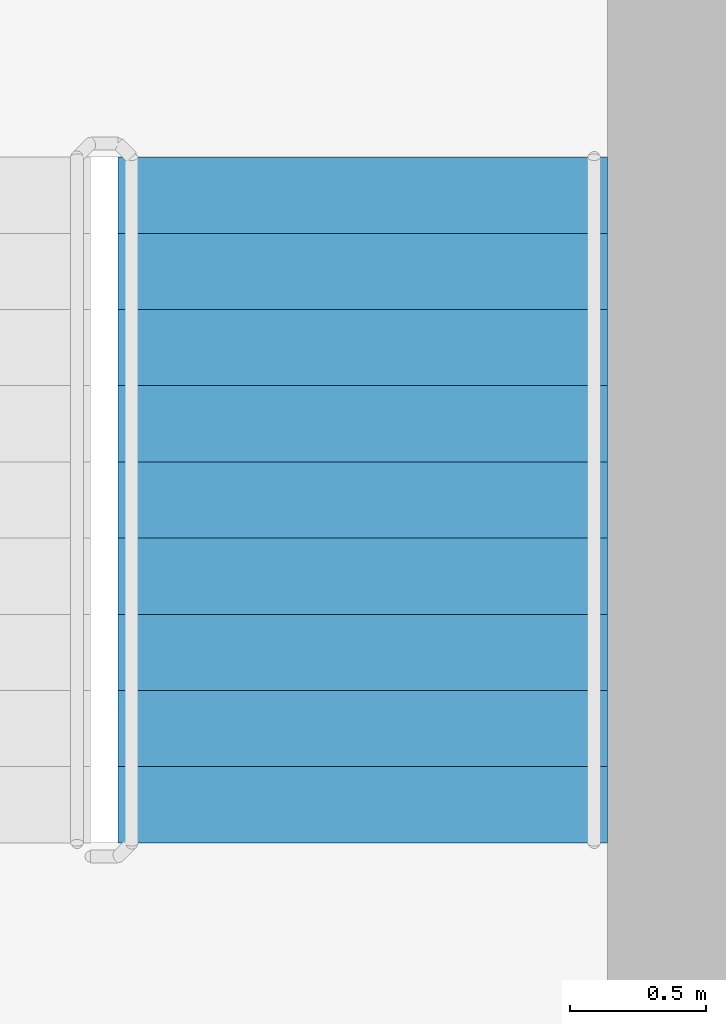
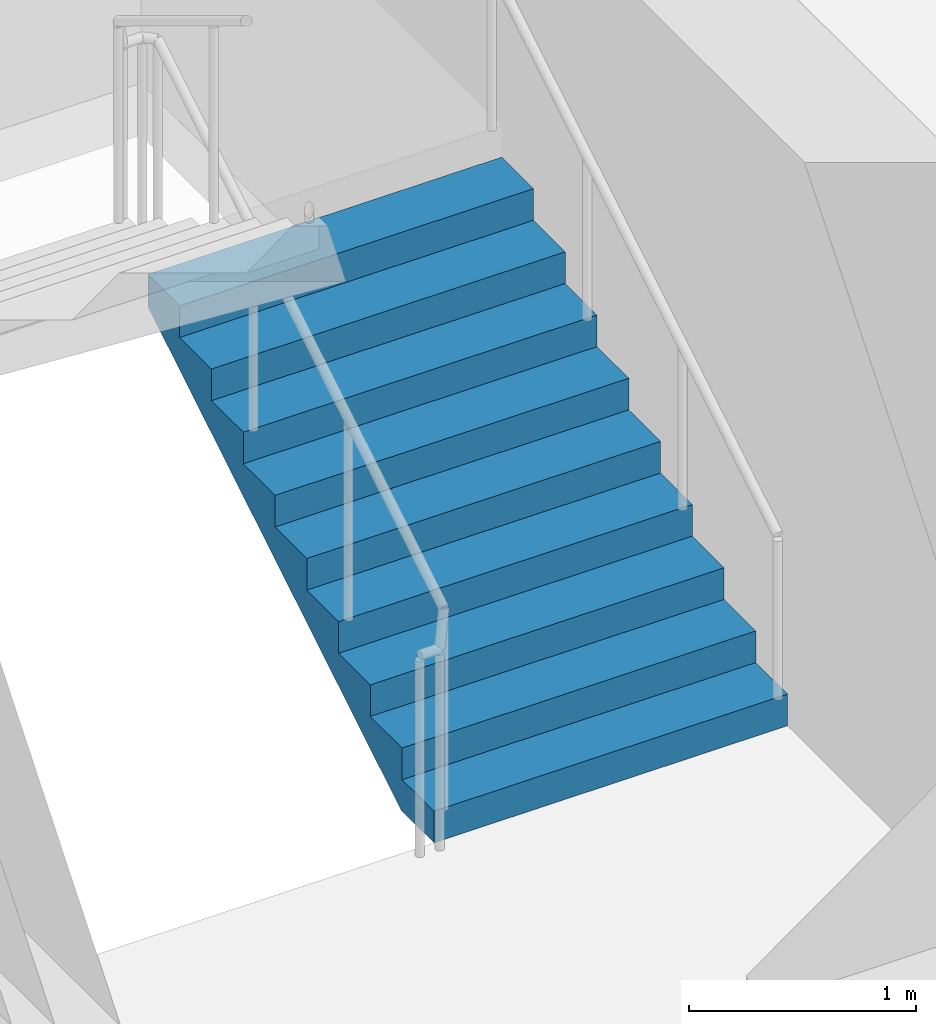
# One storey, part 10 of 17: 1 stair flight, 1 element without a shape of its own.
"""IFC4 building model written with IfcOpenShell, lengths in metres."""

from ifc_helpers import new_model, si_unit, direction, frame, origin, place, context, subcontext, project, spatial, triangles, source, transform, mapped, material, type_object, element, aggregate, save


model = new_model("IFC4")

# Units and contexts
model_context = context("Model", 3, precision=1e-05, world=origin(), true_north=direction((0.0, 1.0)))
body_context = subcontext(model_context, "Body", "Model", "MODEL_VIEW")
ifc_project = project(units=[si_unit("LENGTHUNIT", "METRE"), si_unit("AREAUNIT", "SQUARE_METRE"), si_unit("VOLUMEUNIT", "CUBIC_METRE"), si_unit("PLANEANGLEUNIT", "RADIAN"), si_unit("MASSUNIT", "GRAM", prefix="KILO")], contexts=[model_context])

# Site, building, storey
site_placement = place(None, origin())
site = spatial("IfcSite", under=ifc_project, at=site_placement, CompositionType="ELEMENT")
building_placement = place(site_placement, origin())
building = spatial("IfcBuilding", under=site, at=building_placement, Name="Kilnfold Tower and Market Hall", CompositionType="ELEMENT")
storey_placement = place(building_placement, frame((0.0, 0.0, 308.60009765625)))
storey = spatial("IfcBuildingStorey", under=building, at=storey_placement, Name="L77", CompositionType="ELEMENT", Elevation=308.60009765625)

# Stair, stair flight
ifc_material_1 = material(Name="Concrete C40/50", Category="concrete")
stair_type = type_object("IfcStairType", Name="CORE STAIR 1800", PredefinedType="HALF_TURN_STAIR", material=ifc_material_1)
stair_placement = place(storey_placement, origin())
stair = element("IfcStair", 1, at=stair_placement, inside=storey, type_object=stair_type, Name="L77 ST2", PredefinedType="HALF_TURN_STAIR")
ifc_material_2 = material(Name="Concrete C40/50", Category="concrete")
stair_flight_type = type_object("IfcStairFlightType", Name="CORE STAIR FLIGHT 1800", PredefinedType="STRAIGHT", material=ifc_material_2)
shared_shape = source(origin(), body_context, "Body", "Tessellation", [
    triangles([(0.0, 0.89990234375, 0.0), (0.0, 0.78759765625, 0.0), (0.0, 0.675048828125, 0.0), (0.0, 0.5625, 0.0), (0.0, 0.449951171875, 0.0), (0.0, 0.33740234375, 0.0), (0.0, 0.22509765625, 0.0), (0.0, 0.112548828125, 0.0), (0.0, 0.0, 0.0), (0.0, -0.112548828125, 0.0), (0.0, -0.22509765625, 0.0), (0.0, -0.33740234375, 0.0), (0.0, -0.449951171875, 0.0), (0.0, -0.5625, 0.0), (0.0, -0.675048828125, 0.0), (0.0, -0.78759765625, 0.0), (0.0, -0.89990234375, 0.0), (0.0, 0.89990234375, 0.169921875), (0.0, 0.78759765625, 0.169921875), (0.0, 0.675048828125, 0.169921875), (0.0, 0.5625, 0.169921875), (0.0, 0.449951171875, 0.169921875), (0.0, 0.33740234375, 0.169921875), (0.0, 0.22509765625, 0.169921875), (0.0, 0.112548828125, 0.169921875), (0.0, 0.0, 0.169921875), (0.0, -0.112548828125, 0.169921875), (0.0, -0.22509765625, 0.169921875), (0.0, -0.33740234375, 0.169921875), (0.0, -0.449951171875, 0.169921875), (0.0, -0.5625, 0.169921875), (0.0, -0.675048828125, 0.169921875), (0.0, -0.78759765625, 0.169921875), (0.0, -0.89990234375, 0.169921875), (0.280029296875, 0.89990234375, 0.169921875), (0.280029296875, 0.78759765625, 0.169921875), (0.280029296875, 0.675048828125, 0.169921875), (0.280029296875, 0.5625, 0.169921875), (0.280029296875, 0.449951171875, 0.169921875), (0.280029296875, 0.33740234375, 0.169921875), (0.280029296875, 0.22509765625, 0.169921875), (0.280029296875, 0.112548828125, 0.169921875), (0.280029296875, 0.0, 0.169921875), (0.280029296875, -0.112548828125, 0.169921875), (0.280029296875, -0.22509765625, 0.169921875), (0.280029296875, -0.33740234375, 0.169921875), (0.280029296875, -0.449951171875, 0.169921875), (0.280029296875, -0.5625, 0.169921875), (0.280029296875, -0.675048828125, 0.169921875), (0.280029296875, -0.78759765625, 0.169921875), (0.280029296875, -0.89990234375, 0.169921875), (0.280029296875, 0.89990234375, 0.340087890625), (0.280029296875, 0.78759765625, 0.340087890625), (0.280029296875, 0.675048828125, 0.340087890625), (0.280029296875, 0.5625, 0.340087890625), (0.280029296875, 0.449951171875, 0.340087890625), (0.280029296875, 0.33740234375, 0.340087890625), (0.280029296875, 0.22509765625, 0.340087890625), (0.280029296875, 0.112548828125, 0.340087890625), (0.280029296875, 0.0, 0.340087890625), (0.280029296875, -0.112548828125, 0.340087890625), (0.280029296875, -0.22509765625, 0.340087890625), (0.280029296875, -0.33740234375, 0.340087890625), (0.280029296875, -0.449951171875, 0.340087890625), (0.280029296875, -0.5625, 0.340087890625), (0.280029296875, -0.675048828125, 0.340087890625), (0.280029296875, -0.78759765625, 0.340087890625), (0.280029296875, -0.89990234375, 0.340087890625), (0.56005859375, 0.89990234375, 0.340087890625), (0.56005859375, 0.78759765625, 0.340087890625), (0.56005859375, 0.675048828125, 0.340087890625), (0.56005859375, 0.5625, 0.340087890625), (0.56005859375, 0.449951171875, 0.340087890625), (0.56005859375, 0.33740234375, 0.340087890625), (0.56005859375, 0.22509765625, 0.340087890625), (0.56005859375, 0.112548828125, 0.340087890625), (0.56005859375, 0.0, 0.340087890625), (0.56005859375, -0.112548828125, 0.340087890625), (0.56005859375, -0.22509765625, 0.340087890625), (0.56005859375, -0.33740234375, 0.340087890625), (0.56005859375, -0.449951171875, 0.340087890625), (0.56005859375, -0.5625, 0.340087890625), (0.56005859375, -0.675048828125, 0.340087890625), (0.56005859375, -0.78759765625, 0.340087890625), (0.56005859375, -0.89990234375, 0.340087890625), (0.56005859375, 0.89990234375, 0.510009765625), (0.56005859375, 0.78759765625, 0.510009765625), (0.56005859375, 0.675048828125, 0.510009765625), (0.56005859375, 0.5625, 0.510009765625), (0.56005859375, 0.449951171875, 0.510009765625), (0.56005859375, 0.33740234375, 0.510009765625), (0.56005859375, 0.22509765625, 0.510009765625), (0.56005859375, 0.112548828125, 0.510009765625), (0.56005859375, 0.0, 0.510009765625), (0.56005859375, -0.112548828125, 0.510009765625), (0.56005859375, -0.22509765625, 0.510009765625), (0.56005859375, -0.33740234375, 0.510009765625), (0.56005859375, -0.449951171875, 0.510009765625), (0.56005859375, -0.5625, 0.510009765625), (0.56005859375, -0.675048828125, 0.510009765625), (0.56005859375, -0.78759765625, 0.510009765625), (0.56005859375, -0.89990234375, 0.510009765625), (0.840087890625, 0.89990234375, 0.510009765625), (0.840087890625, 0.78759765625, 0.510009765625), (0.840087890625, 0.675048828125, 0.510009765625), (0.840087890625, 0.5625, 0.510009765625), (0.840087890625, 0.449951171875, 0.510009765625), (0.840087890625, 0.33740234375, 0.510009765625), (0.840087890625, 0.22509765625, 0.510009765625), (0.840087890625, 0.112548828125, 0.510009765625), (0.840087890625, 0.0, 0.510009765625), (0.840087890625, -0.112548828125, 0.510009765625), (0.840087890625, -0.22509765625, 0.510009765625), (0.840087890625, -0.33740234375, 0.510009765625), (0.840087890625, -0.449951171875, 0.510009765625), (0.840087890625, -0.5625, 0.510009765625), (0.840087890625, -0.675048828125, 0.510009765625), (0.840087890625, -0.78759765625, 0.510009765625), (0.840087890625, -0.89990234375, 0.510009765625), (0.840087890625, 0.89990234375, 0.679931640625), (0.840087890625, 0.78759765625, 0.679931640625), (0.840087890625, 0.675048828125, 0.679931640625), (0.840087890625, 0.5625, 0.679931640625), (0.840087890625, 0.449951171875, 0.679931640625), (0.840087890625, 0.33740234375, 0.679931640625), (0.840087890625, 0.22509765625, 0.679931640625), (0.840087890625, 0.112548828125, 0.679931640625), (0.840087890625, 0.0, 0.679931640625), (0.840087890625, -0.112548828125, 0.679931640625), (0.840087890625, -0.22509765625, 0.679931640625), (0.840087890625, -0.33740234375, 0.679931640625), (0.840087890625, -0.449951171875, 0.679931640625), (0.840087890625, -0.5625, 0.679931640625), (0.840087890625, -0.675048828125, 0.679931640625), (0.840087890625, -0.78759765625, 0.679931640625), (0.840087890625, -0.89990234375, 0.679931640625), (1.1201171875, 0.89990234375, 0.679931640625), (1.1201171875, 0.78759765625, 0.679931640625), (1.1201171875, 0.675048828125, 0.679931640625), (1.1201171875, 0.5625, 0.679931640625), (1.1201171875, 0.449951171875, 0.679931640625), (1.1201171875, 0.33740234375, 0.679931640625), (1.1201171875, 0.22509765625, 0.679931640625), (1.1201171875, 0.112548828125, 0.679931640625), (1.1201171875, 0.0, 0.679931640625), (1.1201171875, -0.112548828125, 0.679931640625), (1.1201171875, -0.22509765625, 0.679931640625), (1.1201171875, -0.33740234375, 0.679931640625), (1.1201171875, -0.449951171875, 0.679931640625), (1.1201171875, -0.5625, 0.679931640625), (1.1201171875, -0.675048828125, 0.679931640625), (1.1201171875, -0.78759765625, 0.679931640625), (1.1201171875, -0.89990234375, 0.679931640625), (1.1201171875, 0.89990234375, 0.85009765625), (1.1201171875, 0.78759765625, 0.85009765625), (1.1201171875, 0.675048828125, 0.85009765625), (1.1201171875, 0.5625, 0.85009765625), (1.1201171875, 0.449951171875, 0.85009765625), (1.1201171875, 0.33740234375, 0.85009765625), (1.1201171875, 0.22509765625, 0.85009765625), (1.1201171875, 0.112548828125, 0.85009765625), (1.1201171875, 0.0, 0.85009765625), (1.1201171875, -0.112548828125, 0.85009765625), (1.1201171875, -0.22509765625, 0.85009765625), (1.1201171875, -0.33740234375, 0.85009765625), (1.1201171875, -0.449951171875, 0.85009765625), (1.1201171875, -0.5625, 0.85009765625), (1.1201171875, -0.675048828125, 0.85009765625), (1.1201171875, -0.78759765625, 0.85009765625), (1.1201171875, -0.89990234375, 0.85009765625), (1.39990234375, 0.89990234375, 0.85009765625), (1.39990234375, 0.78759765625, 0.85009765625), (1.39990234375, 0.675048828125, 0.85009765625), (1.39990234375, 0.5625, 0.85009765625), (1.39990234375, 0.449951171875, 0.85009765625), (1.39990234375, 0.33740234375, 0.85009765625), (1.39990234375, 0.22509765625, 0.85009765625), (1.39990234375, 0.112548828125, 0.85009765625), (1.39990234375, 0.0, 0.85009765625), (1.39990234375, -0.112548828125, 0.85009765625), (1.39990234375, -0.22509765625, 0.85009765625), (1.39990234375, -0.33740234375, 0.85009765625), (1.39990234375, -0.449951171875, 0.85009765625), (1.39990234375, -0.5625, 0.85009765625), (1.39990234375, -0.675048828125, 0.85009765625), (1.39990234375, -0.78759765625, 0.85009765625), (1.39990234375, -0.89990234375, 0.85009765625), (1.39990234375, 0.89990234375, 1.02001953125), (1.39990234375, 0.78759765625, 1.02001953125), (1.39990234375, 0.675048828125, 1.02001953125), (1.39990234375, 0.5625, 1.02001953125), (1.39990234375, 0.449951171875, 1.02001953125), (1.39990234375, 0.33740234375, 1.02001953125), (1.39990234375, 0.22509765625, 1.02001953125), (1.39990234375, 0.112548828125, 1.02001953125), (1.39990234375, 0.0, 1.02001953125), (1.39990234375, -0.112548828125, 1.02001953125), (1.39990234375, -0.22509765625, 1.02001953125), (1.39990234375, -0.33740234375, 1.02001953125), (1.39990234375, -0.449951171875, 1.02001953125), (1.39990234375, -0.5625, 1.02001953125), (1.39990234375, -0.675048828125, 1.02001953125), (1.39990234375, -0.78759765625, 1.02001953125), (1.39990234375, -0.89990234375, 1.02001953125), (1.679931640625, 0.89990234375, 1.02001953125), (1.679931640625, 0.78759765625, 1.02001953125), (1.679931640625, 0.675048828125, 1.02001953125), (1.679931640625, 0.5625, 1.02001953125), (1.679931640625, 0.449951171875, 1.02001953125), (1.679931640625, 0.33740234375, 1.02001953125), (1.679931640625, 0.22509765625, 1.02001953125), (1.679931640625, 0.112548828125, 1.02001953125), (1.679931640625, 0.0, 1.02001953125), (1.679931640625, -0.112548828125, 1.02001953125), (1.679931640625, -0.22509765625, 1.02001953125), (1.679931640625, -0.33740234375, 1.02001953125), (1.679931640625, -0.449951171875, 1.02001953125), (1.679931640625, -0.5625, 1.02001953125), (1.679931640625, -0.675048828125, 1.02001953125), (1.679931640625, -0.78759765625, 1.02001953125), (1.679931640625, -0.89990234375, 1.02001953125), (1.679931640625, 0.89990234375, 1.18994140625), (1.679931640625, 0.78759765625, 1.18994140625), (1.679931640625, 0.675048828125, 1.18994140625), (1.679931640625, 0.5625, 1.18994140625), (1.679931640625, 0.449951171875, 1.18994140625), (1.679931640625, 0.33740234375, 1.18994140625), (1.679931640625, 0.22509765625, 1.18994140625), (1.679931640625, 0.112548828125, 1.18994140625), (1.679931640625, 0.0, 1.18994140625), (1.679931640625, -0.112548828125, 1.18994140625), (1.679931640625, -0.22509765625, 1.18994140625), (1.679931640625, -0.33740234375, 1.18994140625), (1.679931640625, -0.449951171875, 1.18994140625), (1.679931640625, -0.5625, 1.18994140625), (1.679931640625, -0.675048828125, 1.18994140625), (1.679931640625, -0.78759765625, 1.18994140625), (1.679931640625, -0.89990234375, 1.18994140625), (1.9599609375, 0.89990234375, 1.18994140625), (1.9599609375, 0.78759765625, 1.18994140625), (1.9599609375, 0.675048828125, 1.18994140625), (1.9599609375, 0.5625, 1.18994140625), (1.9599609375, 0.449951171875, 1.18994140625), (1.9599609375, 0.33740234375, 1.18994140625), (1.9599609375, 0.22509765625, 1.18994140625), (1.9599609375, 0.112548828125, 1.18994140625), (1.9599609375, 0.0, 1.18994140625), (1.9599609375, -0.112548828125, 1.18994140625), (1.9599609375, -0.22509765625, 1.18994140625), (1.9599609375, -0.33740234375, 1.18994140625), (1.9599609375, -0.449951171875, 1.18994140625), (1.9599609375, -0.5625, 1.18994140625), (1.9599609375, -0.675048828125, 1.18994140625), (1.9599609375, -0.78759765625, 1.18994140625), (1.9599609375, -0.89990234375, 1.18994140625), (1.9599609375, 0.89990234375, 1.360107421875), (1.9599609375, 0.78759765625, 1.360107421875), (1.9599609375, 0.675048828125, 1.360107421875), (1.9599609375, 0.5625, 1.360107421875), (1.9599609375, 0.449951171875, 1.360107421875), (1.9599609375, 0.33740234375, 1.360107421875), (1.9599609375, 0.22509765625, 1.360107421875), (1.9599609375, 0.112548828125, 1.360107421875), (1.9599609375, 0.0, 1.360107421875), (1.9599609375, -0.112548828125, 1.360107421875), (1.9599609375, -0.22509765625, 1.360107421875), (1.9599609375, -0.33740234375, 1.360107421875), (1.9599609375, -0.449951171875, 1.360107421875), (1.9599609375, -0.5625, 1.360107421875), (1.9599609375, -0.675048828125, 1.360107421875), (1.9599609375, -0.78759765625, 1.360107421875), (1.9599609375, -0.89990234375, 1.360107421875), (2.239990234375, 0.89990234375, 1.360107421875), (2.239990234375, 0.78759765625, 1.360107421875), (2.239990234375, 0.675048828125, 1.360107421875), (2.239990234375, 0.5625, 1.360107421875), (2.239990234375, 0.449951171875, 1.360107421875), (2.239990234375, 0.33740234375, 1.360107421875), (2.239990234375, 0.22509765625, 1.360107421875), (2.239990234375, 0.112548828125, 1.360107421875), (2.239990234375, 0.0, 1.360107421875), (2.239990234375, -0.112548828125, 1.360107421875), (2.239990234375, -0.22509765625, 1.360107421875), (2.239990234375, -0.33740234375, 1.360107421875), (2.239990234375, -0.449951171875, 1.360107421875), (2.239990234375, -0.5625, 1.360107421875), (2.239990234375, -0.675048828125, 1.360107421875), (2.239990234375, -0.78759765625, 1.360107421875), (2.239990234375, -0.89990234375, 1.360107421875), (2.239990234375, 0.89990234375, 1.530029296875), (2.239990234375, 0.78759765625, 1.530029296875), (2.239990234375, 0.675048828125, 1.530029296875), (2.239990234375, 0.5625, 1.530029296875), (2.239990234375, 0.449951171875, 1.530029296875), (2.239990234375, 0.33740234375, 1.530029296875), (2.239990234375, 0.22509765625, 1.530029296875), (2.239990234375, 0.112548828125, 1.530029296875), (2.239990234375, 0.0, 1.530029296875), (2.239990234375, -0.112548828125, 1.530029296875), (2.239990234375, -0.22509765625, 1.530029296875), (2.239990234375, -0.33740234375, 1.530029296875), (2.239990234375, -0.449951171875, 1.530029296875), (2.239990234375, -0.5625, 1.530029296875), (2.239990234375, -0.675048828125, 1.530029296875), (2.239990234375, -0.78759765625, 1.530029296875), (2.239990234375, -0.89990234375, 1.530029296875), (2.52001953125, 0.89990234375, 1.530029296875), (2.52001953125, 0.78759765625, 1.530029296875), (2.52001953125, 0.675048828125, 1.530029296875), (2.52001953125, 0.5625, 1.530029296875), (2.52001953125, 0.449951171875, 1.530029296875), (2.52001953125, 0.33740234375, 1.530029296875), (2.52001953125, 0.22509765625, 1.530029296875), (2.52001953125, 0.112548828125, 1.530029296875), (2.52001953125, 0.0, 1.530029296875), (2.52001953125, -0.112548828125, 1.530029296875), (2.52001953125, -0.22509765625, 1.530029296875), (2.52001953125, -0.33740234375, 1.530029296875), (2.52001953125, -0.449951171875, 1.530029296875), (2.52001953125, -0.5625, 1.530029296875), (2.52001953125, -0.675048828125, 1.530029296875), (2.52001953125, -0.78759765625, 1.530029296875), (2.52001953125, -0.89990234375, 1.530029296875), (2.52001953125, 0.89990234375, 1.354736328125), (2.52001953125, 0.78759765625, 1.354736328125), (2.52001953125, 0.675048828125, 1.354736328125), (2.52001953125, 0.5625, 1.354736328125), (2.52001953125, 0.449951171875, 1.354736328125), (2.52001953125, 0.33740234375, 1.354736328125), (2.52001953125, 0.22509765625, 1.354736328125), (2.52001953125, 0.112548828125, 1.354736328125), (2.52001953125, 0.0, 1.354736328125), (2.52001953125, -0.112548828125, 1.354736328125), (2.52001953125, -0.22509765625, 1.354736328125), (2.52001953125, -0.33740234375, 1.354736328125), (2.52001953125, -0.449951171875, 1.354736328125), (2.52001953125, -0.5625, 1.354736328125), (2.52001953125, -0.675048828125, 1.354736328125), (2.52001953125, -0.78759765625, 1.354736328125), (2.52001953125, -0.89990234375, 1.354736328125), (0.288818359375, 0.89990234375, 0.0), (0.288818359375, 0.78759765625, 0.0), (0.288818359375, 0.675048828125, 0.0), (0.288818359375, 0.5625, 0.0), (0.288818359375, 0.449951171875, 0.0), (0.288818359375, 0.33740234375, 0.0), (0.288818359375, 0.22509765625, 0.0), (0.288818359375, 0.112548828125, 0.0), (0.288818359375, 0.0, 0.0), (0.288818359375, -0.112548828125, 0.0), (0.288818359375, -0.22509765625, 0.0), (0.288818359375, -0.33740234375, 0.0), (0.288818359375, -0.449951171875, 0.0), (0.288818359375, -0.5625, 0.0), (0.288818359375, -0.675048828125, 0.0), (0.288818359375, -0.78759765625, 0.0), (0.288818359375, -0.89990234375, 0.0)], [[1, 324, 341], [17, 357, 340], [324, 290, 307], [340, 323, 306], [324, 273, 290], [340, 306, 289], [324, 256, 273], [340, 289, 272], [324, 239, 256], [340, 272, 255], [239, 205, 222], [255, 238, 221], [324, 205, 239], [340, 255, 221], [205, 171, 188], [221, 204, 187], [324, 171, 205], [340, 221, 187], [171, 137, 154], [187, 170, 153], [324, 137, 171], [340, 187, 153], [137, 103, 120], [153, 136, 119], [324, 103, 137], [340, 153, 119], [103, 69, 86], [119, 102, 85], [324, 69, 103], [340, 119, 85], [69, 35, 52], [85, 68, 51], [324, 35, 69], [340, 85, 51], [1, 35, 324], [17, 340, 51], [35, 1, 18], [51, 34, 17], [1, 19, 18], [1, 2, 19], [2, 20, 19], [2, 3, 20], [3, 21, 20], [3, 4, 21], [4, 22, 21], [4, 5, 22], [5, 23, 22], [5, 6, 23], [6, 24, 23], [6, 7, 24], [7, 25, 24], [7, 8, 25], [8, 26, 25], [8, 9, 26], [9, 27, 26], [9, 10, 27], [10, 28, 27], [10, 11, 28], [11, 29, 28], [11, 12, 29], [12, 30, 29], [12, 13, 30], [13, 31, 30], [13, 14, 31], [14, 32, 31], [14, 15, 32], [15, 33, 32], [15, 16, 33], [16, 34, 33], [16, 17, 34], [18, 36, 35], [18, 19, 36], [19, 37, 36], [19, 20, 37], [20, 38, 37], [20, 21, 38], [21, 39, 38], [21, 22, 39], [22, 40, 39], [22, 23, 40], [23, 41, 40], [23, 24, 41], [24, 42, 41], [24, 25, 42], [25, 43, 42], [25, 26, 43], [26, 44, 43], [26, 27, 44], [27, 45, 44], [27, 28, 45], [28, 46, 45], [28, 29, 46], [29, 47, 46], [29, 30, 47], [30, 48, 47], [30, 31, 48], [31, 49, 48], [31, 32, 49], [32, 50, 49], [32, 33, 50], [33, 51, 50], [33, 34, 51], [35, 53, 52], [35, 36, 53], [36, 54, 53], [36, 37, 54], [37, 55, 54], [37, 38, 55], [38, 56, 55], [38, 39, 56], [39, 57, 56], [39, 40, 57], [40, 58, 57], [40, 41, 58], [41, 59, 58], [41, 42, 59], [42, 60, 59], [42, 43, 60], [43, 61, 60], [43, 44, 61], [44, 62, 61], [44, 45, 62], [45, 63, 62], [45, 46, 63], [46, 64, 63], [46, 47, 64], [47, 65, 64], [47, 48, 65], [48, 66, 65], [48, 49, 66], [49, 67, 66], [49, 50, 67], [50, 68, 67], [50, 51, 68], [52, 70, 69], [52, 53, 70], [53, 71, 70], [53, 54, 71], [54, 72, 71], [54, 55, 72], [55, 73, 72], [55, 56, 73], [56, 74, 73], [56, 57, 74], [57, 75, 74], [57, 58, 75], [58, 76, 75], [58, 59, 76], [59, 77, 76], [59, 60, 77], [60, 78, 77], [60, 61, 78], [61, 79, 78], [61, 62, 79], [62, 80, 79], [62, 63, 80], [63, 81, 80], [63, 64, 81], [64, 82, 81], [64, 65, 82], [65, 83, 82], [65, 66, 83], [66, 84, 83], [66, 67, 84], [67, 85, 84], [67, 68, 85], [69, 87, 86], [69, 70, 87], [70, 88, 87], [70, 71, 88], [71, 89, 88], [71, 72, 89], [72, 90, 89], [72, 73, 90], [73, 91, 90], [73, 74, 91], [74, 92, 91], [74, 75, 92], [75, 93, 92], [75, 76, 93], [76, 94, 93], [76, 77, 94], [77, 95, 94], [77, 78, 95], [78, 96, 95], [78, 79, 96], [79, 97, 96], [79, 80, 97], [80, 98, 97], [80, 81, 98], [81, 99, 98], [81, 82, 99], [82, 100, 99], [82, 83, 100], [83, 101, 100], [83, 84, 101], [84, 102, 101], [84, 85, 102], [86, 104, 103], [86, 87, 104], [87, 105, 104], [87, 88, 105], [88, 106, 105], [88, 89, 106], [89, 107, 106], [89, 90, 107], [90, 108, 107], [90, 91, 108], [91, 109, 108], [91, 92, 109], [92, 110, 109], [92, 93, 110], [93, 111, 110], [93, 94, 111], [94, 112, 111], [94, 95, 112], [95, 113, 112], [95, 96, 113], [96, 114, 113], [96, 97, 114], [97, 115, 114], [97, 98, 115], [98, 116, 115], [98, 99, 116], [99, 117, 116], [99, 100, 117], [100, 118, 117], [100, 101, 118], [101, 119, 118], [101, 102, 119], [103, 121, 120], [103, 104, 121], [104, 122, 121], [104, 105, 122], [105, 123, 122], [105, 106, 123], [106, 124, 123], [106, 107, 124], [107, 125, 124], [107, 108, 125], [108, 126, 125], [108, 109, 126], [109, 127, 126], [109, 110, 127], [110, 128, 127], [110, 111, 128], [111, 129, 128], [111, 112, 129], [112, 130, 129], [112, 113, 130], [113, 131, 130], [113, 114, 131], [114, 132, 131], [114, 115, 132], [115, 133, 132], [115, 116, 133], [116, 134, 133], [116, 117, 134], [117, 135, 134], [117, 118, 135], [118, 136, 135], [118, 119, 136], [120, 138, 137], [120, 121, 138], [121, 139, 138], [121, 122, 139], [122, 140, 139], [122, 123, 140], [123, 141, 140], [123, 124, 141], [124, 142, 141], [124, 125, 142], [125, 143, 142], [125, 126, 143], [126, 144, 143], [126, 127, 144], [127, 145, 144], [127, 128, 145], [128, 146, 145], [128, 129, 146], [129, 147, 146], [129, 130, 147], [130, 148, 147], [130, 131, 148], [131, 149, 148], [131, 132, 149], [132, 150, 149], [132, 133, 150], [133, 151, 150], [133, 134, 151], [134, 152, 151], [134, 135, 152], [135, 153, 152], [135, 136, 153], [137, 155, 154], [137, 138, 155], [138, 156, 155], [138, 139, 156], [139, 157, 156], [139, 140, 157], [140, 158, 157], [140, 141, 158], [141, 159, 158], [141, 142, 159], [142, 160, 159], [142, 143, 160], [143, 161, 160], [143, 144, 161], [144, 162, 161], [144, 145, 162], [145, 163, 162], [145, 146, 163], [146, 164, 163], [146, 147, 164], [147, 165, 164], [147, 148, 165], [148, 166, 165], [148, 149, 166], [149, 167, 166], [149, 150, 167], [150, 168, 167], [150, 151, 168], [151, 169, 168], [151, 152, 169], [152, 170, 169], [152, 153, 170], [154, 172, 171], [154, 155, 172], [155, 173, 172], [155, 156, 173], [156, 174, 173], [156, 157, 174], [157, 175, 174], [157, 158, 175], [158, 176, 175], [158, 159, 176], [159, 177, 176], [159, 160, 177], [160, 178, 177], [160, 161, 178], [161, 179, 178], [161, 162, 179], [162, 180, 179], [162, 163, 180], [163, 181, 180], [163, 164, 181], [164, 182, 181], [164, 165, 182], [165, 183, 182], [165, 166, 183], [166, 184, 183], [166, 167, 184], [167, 185, 184], [167, 168, 185], [168, 186, 185], [168, 169, 186], [169, 187, 186], [169, 170, 187], [171, 189, 188], [171, 172, 189], [172, 190, 189], [172, 173, 190], [173, 191, 190], [173, 174, 191], [174, 192, 191], [174, 175, 192], [175, 193, 192], [175, 176, 193], [176, 194, 193], [176, 177, 194], [177, 195, 194], [177, 178, 195], [178, 196, 195], [178, 179, 196], [179, 197, 196], [179, 180, 197], [180, 198, 197], [180, 181, 198], [181, 199, 198], [181, 182, 199], [182, 200, 199], [182, 183, 200], [183, 201, 200], [183, 184, 201], [184, 202, 201], [184, 185, 202], [185, 203, 202], [185, 186, 203], [186, 204, 203], [186, 187, 204], [188, 206, 205], [188, 189, 206], [189, 207, 206], [189, 190, 207], [190, 208, 207], [190, 191, 208], [191, 209, 208], [191, 192, 209], [192, 210, 209], [192, 193, 210], [193, 211, 210], [193, 194, 211], [194, 212, 211], [194, 195, 212], [195, 213, 212], [195, 196, 213], [196, 214, 213], [196, 197, 214], [197, 215, 214], [197, 198, 215], [198, 216, 215], [198, 199, 216], [199, 217, 216], [199, 200, 217], [200, 218, 217], [200, 201, 218], [201, 219, 218], [201, 202, 219], [202, 220, 219], [202, 203, 220], [203, 221, 220], [203, 204, 221], [205, 223, 222], [205, 206, 223], [206, 224, 223], [206, 207, 224], [207, 225, 224], [207, 208, 225], [208, 226, 225], [208, 209, 226], [209, 227, 226], [209, 210, 227], [210, 228, 227], [210, 211, 228], [211, 229, 228], [211, 212, 229], [212, 230, 229], [212, 213, 230], [213, 231, 230], [213, 214, 231], [214, 232, 231], [214, 215, 232], [215, 233, 232], [215, 216, 233], [216, 234, 233], [216, 217, 234], [217, 235, 234], [217, 218, 235], [218, 236, 235], [218, 219, 236], [219, 237, 236], [219, 220, 237], [220, 238, 237], [220, 221, 238], [222, 240, 239], [222, 223, 240], [223, 241, 240], [223, 224, 241], [224, 242, 241], [224, 225, 242], [225, 243, 242], [225, 226, 243], [226, 244, 243], [226, 227, 244], [227, 245, 244], [227, 228, 245], [228, 246, 245], [228, 229, 246], [229, 247, 246], [229, 230, 247], [230, 248, 247], [230, 231, 248], [231, 249, 248], [231, 232, 249], [232, 250, 249], [232, 233, 250], [233, 251, 250], [233, 234, 251], [234, 252, 251], [234, 235, 252], [235, 253, 252], [235, 236, 253], [236, 254, 253], [236, 237, 254], [237, 255, 254], [237, 238, 255], [239, 257, 256], [239, 240, 257], [240, 258, 257], [240, 241, 258], [241, 259, 258], [241, 242, 259], [242, 260, 259], [242, 243, 260], [243, 261, 260], [243, 244, 261], [244, 262, 261], [244, 245, 262], [245, 263, 262], [245, 246, 263], [246, 264, 263], [246, 247, 264], [247, 265, 264], [247, 248, 265], [248, 266, 265], [248, 249, 266], [249, 267, 266], [249, 250, 267], [250, 268, 267], [250, 251, 268], [251, 269, 268], [251, 252, 269], [252, 270, 269], [252, 253, 270], [253, 271, 270], [253, 254, 271], [254, 272, 271], [254, 255, 272], [256, 274, 273], [256, 257, 274], [257, 275, 274], [257, 258, 275], [258, 276, 275], [258, 259, 276], [259, 277, 276], [259, 260, 277], [260, 278, 277], [260, 261, 278], [261, 279, 278], [261, 262, 279], [262, 280, 279], [262, 263, 280], [263, 281, 280], [263, 264, 281], [264, 282, 281], [264, 265, 282], [265, 283, 282], [265, 266, 283], [266, 284, 283], [266, 267, 284], [267, 285, 284], [267, 268, 285], [268, 286, 285], [268, 269, 286], [269, 287, 286], [269, 270, 287], [270, 288, 287], [270, 271, 288], [271, 289, 288], [271, 272, 289], [273, 291, 290], [273, 274, 291], [274, 292, 291], [274, 275, 292], [275, 293, 292], [275, 276, 293], [276, 294, 293], [276, 277, 294], [277, 295, 294], [277, 278, 295], [278, 296, 295], [278, 279, 296], [279, 297, 296], [279, 280, 297], [280, 298, 297], [280, 281, 298], [281, 299, 298], [281, 282, 299], [282, 300, 299], [282, 283, 300], [283, 301, 300], [283, 284, 301], [284, 302, 301], [284, 285, 302], [285, 303, 302], [285, 286, 303], [286, 304, 303], [286, 287, 304], [287, 305, 304], [287, 288, 305], [288, 306, 305], [288, 289, 306], [290, 308, 307], [290, 291, 308], [291, 309, 308], [291, 292, 309], [292, 310, 309], [292, 293, 310], [293, 311, 310], [293, 294, 311], [294, 312, 311], [294, 295, 312], [295, 313, 312], [295, 296, 313], [296, 314, 313], [296, 297, 314], [297, 315, 314], [297, 298, 315], [298, 316, 315], [298, 299, 316], [299, 317, 316], [299, 300, 317], [300, 318, 317], [300, 301, 318], [301, 319, 318], [301, 302, 319], [302, 320, 319], [302, 303, 320], [303, 321, 320], [303, 304, 321], [304, 322, 321], [304, 305, 322], [305, 323, 322], [305, 306, 323], [307, 325, 324], [307, 308, 325], [308, 326, 325], [308, 309, 326], [309, 327, 326], [309, 310, 327], [310, 328, 327], [310, 311, 328], [311, 329, 328], [311, 312, 329], [312, 330, 329], [312, 313, 330], [313, 331, 330], [313, 314, 331], [314, 332, 331], [314, 315, 332], [315, 333, 332], [315, 316, 333], [316, 334, 333], [316, 317, 334], [317, 335, 334], [317, 318, 335], [318, 336, 335], [318, 319, 336], [319, 337, 336], [319, 320, 337], [320, 338, 337], [320, 321, 338], [321, 339, 338], [321, 322, 339], [322, 340, 339], [322, 323, 340], [324, 342, 341], [324, 325, 342], [325, 343, 342], [325, 326, 343], [326, 344, 343], [326, 327, 344], [327, 345, 344], [327, 328, 345], [328, 346, 345], [328, 329, 346], [329, 347, 346], [329, 330, 347], [330, 348, 347], [330, 331, 348], [331, 349, 348], [331, 332, 349], [332, 350, 349], [332, 333, 350], [333, 351, 350], [333, 334, 351], [334, 352, 351], [334, 335, 352], [335, 353, 352], [335, 336, 353], [336, 354, 353], [336, 337, 354], [337, 355, 354], [337, 338, 355], [338, 356, 355], [338, 339, 356], [339, 357, 356], [339, 340, 357], [341, 2, 1], [341, 342, 2], [342, 3, 2], [342, 343, 3], [343, 4, 3], [343, 344, 4], [344, 5, 4], [344, 345, 5], [345, 6, 5], [345, 346, 6], [346, 7, 6], [346, 347, 7], [347, 8, 7], [347, 348, 8], [348, 9, 8], [348, 349, 9], [349, 10, 9], [349, 350, 10], [350, 11, 10], [350, 351, 11], [351, 12, 11], [351, 352, 12], [352, 13, 12], [352, 353, 13], [353, 14, 13], [353, 354, 14], [354, 15, 14], [354, 355, 15], [355, 16, 15], [355, 356, 16], [356, 17, 16], [356, 357, 17]], closed=True),
])
stair_flight_placement = place(storey_placement, frame((16.199951171875, 10.800048828125, 0.0), z_axis=(0.0, 0.0, 1.0), x_axis=(0.0, 1.0, 0.0)))
stair_flight = element("IfcStairFlight", 2, at=stair_flight_placement, type_object=stair_flight_type, Name="ST2 flight 1", NumberOfRisers=10, NumberOfTreads=9, PredefinedType="STRAIGHT", RiserHeight=0.17, TreadLength=0.28, context=body_context, shape_type="MappedRepresentation", body=[
    mapped(shared_shape, transform((0.0, 0.0, 0.0))),
])
aggregate(stair, [stair_flight])

save(model, "model.ifc")
